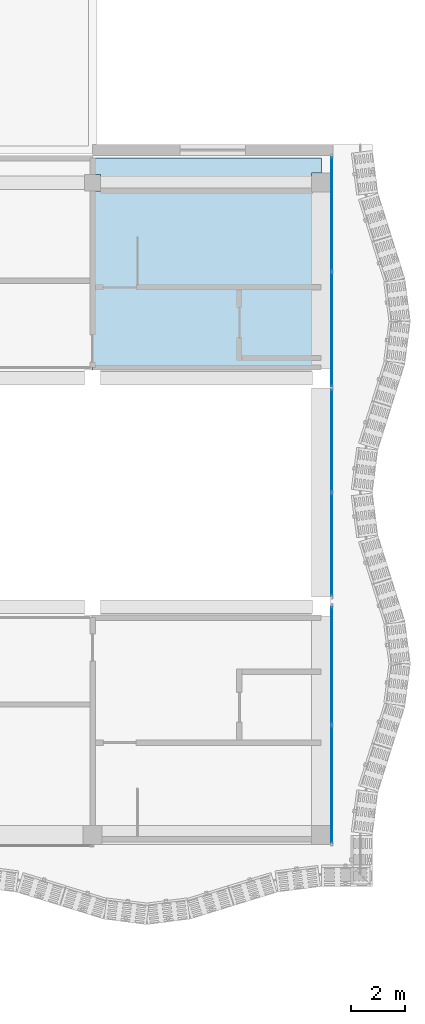
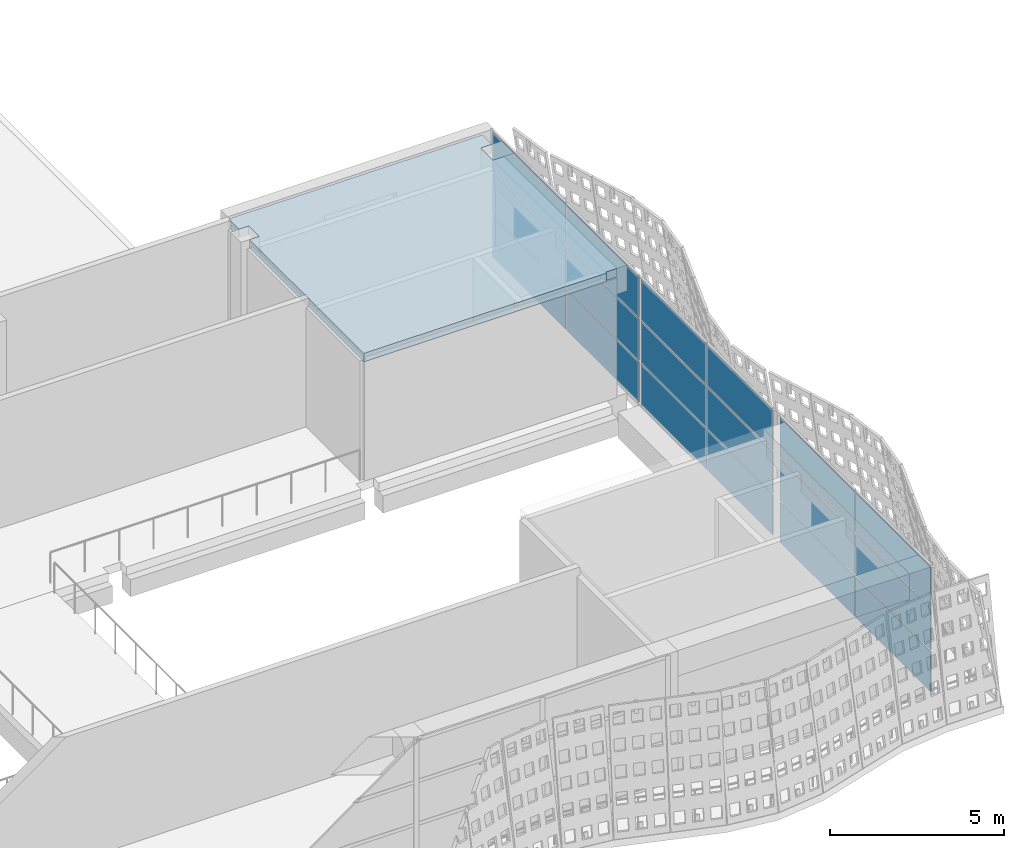
# One storey, part 77 of 162: 18 plates, 1 slab, 3 elements without a shape of their own.
"""IFC4 building model written with IfcOpenShell, lengths in metres."""

from ifc_helpers import new_model, si_unit, direction, frame, origin, origin_2d, place, context, subcontext, project, spatial, polyline, rectangle, outline, extrude, material, layer, layer_set, type_object, element, aggregate, save


model = new_model("IFC4")

# Units and contexts
model_context = context("Model", 3, precision=1e-05, world=origin(), true_north=direction((0.0, 1.0)))
body_context = subcontext(model_context, "Body", "Model", "MODEL_VIEW")
ifc_project = project(units=[si_unit("LENGTHUNIT", "METRE"), si_unit("AREAUNIT", "SQUARE_METRE"), si_unit("VOLUMEUNIT", "CUBIC_METRE"), si_unit("PLANEANGLEUNIT", "RADIAN"), si_unit("MASSUNIT", "GRAM", prefix="KILO")], contexts=[model_context])

# Site, building, storey
site_placement = place(None, origin())
site = spatial("IfcSite", under=ifc_project, at=site_placement, CompositionType="ELEMENT")
building_placement = place(site_placement, origin())
building = spatial("IfcBuilding", under=site, at=building_placement, Name="Rain Tree Exposition and Congress Centre", CompositionType="ELEMENT")
storey_placement = place(building_placement, frame((0.0, 0.0, 6.0)))
storey = spatial("IfcBuildingStorey", under=building, at=storey_placement, Name="L01", CompositionType="ELEMENT", Elevation=6.0)

# Slab
ifc_material_1 = material(Name="Concrete C40/50", Category="concrete")
ifc_layer_1 = layer(ifc_material_1, 0.300048828125)
ifc_layer_set_1 = layer_set([ifc_layer_1], Name="Concrete C40/50")
slab_type = type_object("IfcSlabType", Name="Concourse core roof slab 300", PredefinedType="ROOF", material=ifc_layer_set_1)
slab_placement = place(storey_placement, frame((0.0, 0.0, 4.199951171875)))
element("IfcSlab", 1, at=slab_placement, inside=storey, type_object=slab_type, Name="Concourse core 12 roof", PredefinedType="ROOF", context=body_context, shape_type="SweptSolid", body=[
    extrude(outline(polyline([(268.824951171875, 92.75), (268.449951171875, 92.75), (268.449951171875, 92.699951171875), (260.699951171875, 92.699951171875), (260.375, 92.699951171875), (260.375, 99.300048828125), (260.699951171875, 99.300048828125), (260.699951171875, 99.89990234375), (260.375, 99.89990234375), (260.375, 100.5), (268.824951171875, 100.5), (268.824951171875, 99.949951171875), (268.449951171875, 99.949951171875), (268.449951171875, 99.25), (268.824951171875, 99.25), (268.824951171875, 92.75)])), origin(), (0.0, 0.0, 1.0), 0.300048828125),
])

# Curtain wall, plates
ifc_material_2 = material(Name="Aluminium curtain wall system", Category="aluminium")
ifc_layer_2 = layer(ifc_material_2, 0.10009765625)
ifc_layer_set_2 = layer_set([ifc_layer_2], Name="Aluminium curtain wall system")
curtain_wall_type = type_object("IfcCurtainWallType", Name="Concourse curtain wall 4200 module", PredefinedType="NOTDEFINED", material=ifc_layer_set_2)
curtain_wall_1_placement = place(storey_placement, origin())
curtain_wall_1 = element("IfcCurtainWall", 2, at=curtain_wall_1_placement, inside=storey, type_object=curtain_wall_type, Name="Concourse curtain wall CWC38", PredefinedType="NOTDEFINED")
ifc_material_3 = material(Name="Laminated low-e glass", Category="glass")
ifc_layer_3 = layer(ifc_material_3, 0.028076171875)
ifc_layer_set_3 = layer_set([ifc_layer_3], Name="Laminated low-e glass")
plate_type = type_object("IfcPlateType", Name="Concourse curtain wall glass panel 28", PredefinedType="CURTAIN_PANEL", material=ifc_layer_set_3)
plate_1_placement = place(storey_placement, frame((269.199951171875, 77.465087890625, 0.06005859375), z_axis=(0.0, 0.0, 1.0), x_axis=(0.0, 1.0, 0.0)))
plate_1 = element("IfcPlate", 3, at=plate_1_placement, type_object=plate_type, Name="CWC38 panel 1.1", PredefinedType="CURTAIN_PANEL", context=body_context, shape_type="SweptSolid", body=[
    extrude(rectangle(XDim=4.31005859375, YDim=0.028076171875, at=origin_2d()), origin(), (0.0, 0.0, 1.0), 1.409912109375),
])
plate_2_placement = place(storey_placement, frame((269.199951171875, 77.465087890625, 1.530029296875), z_axis=(0.0, 0.0, 1.0), x_axis=(0.0, 1.0, 0.0)))
plate_2 = element("IfcPlate", 4, at=plate_2_placement, type_object=plate_type, Name="CWC38 panel 1.2", PredefinedType="CURTAIN_PANEL", context=body_context, shape_type="SweptSolid", body=[
    extrude(rectangle(XDim=4.31005859375, YDim=0.028076171875, at=origin_2d()), origin(), (0.0, 0.0, 1.0), 1.43994140625),
])
plate_3_placement = place(storey_placement, frame((269.199951171875, 77.465087890625, 3.0302734375), z_axis=(0.0, 0.0, 1.0), x_axis=(0.0, 1.0, 0.0)))
plate_3 = element("IfcPlate", 5, at=plate_3_placement, type_object=plate_type, Name="CWC38 panel 1.3", PredefinedType="CURTAIN_PANEL", context=body_context, shape_type="SweptSolid", body=[
    extrude(rectangle(XDim=4.31005859375, YDim=0.028076171875, at=origin_2d()), origin(), (0.0, 0.0, 1.0), 1.409912109375),
])
plate_4_placement = place(storey_placement, frame((269.199951171875, 81.8349609375, 0.06005859375), z_axis=(0.0, 0.0, 1.0), x_axis=(0.0, 1.0, 0.0)))
plate_4 = element("IfcPlate", 6, at=plate_4_placement, type_object=plate_type, Name="CWC38 panel 2.1", PredefinedType="CURTAIN_PANEL", context=body_context, shape_type="SweptSolid", body=[
    extrude(rectangle(XDim=4.31005859375, YDim=0.028076171875, at=origin_2d()), origin(), (0.0, 0.0, 1.0), 1.409912109375),
])
plate_5_placement = place(storey_placement, frame((269.199951171875, 81.8349609375, 1.530029296875), z_axis=(0.0, 0.0, 1.0), x_axis=(0.0, 1.0, 0.0)))
plate_5 = element("IfcPlate", 7, at=plate_5_placement, type_object=plate_type, Name="CWC38 panel 2.2", PredefinedType="CURTAIN_PANEL", context=body_context, shape_type="SweptSolid", body=[
    extrude(rectangle(XDim=4.31005859375, YDim=0.028076171875, at=origin_2d()), origin(), (0.0, 0.0, 1.0), 1.43994140625),
])
plate_6_placement = place(storey_placement, frame((269.199951171875, 81.8349609375, 3.0302734375), z_axis=(0.0, 0.0, 1.0), x_axis=(0.0, 1.0, 0.0)))
plate_6 = element("IfcPlate", 8, at=plate_6_placement, type_object=plate_type, Name="CWC38 panel 2.3", PredefinedType="CURTAIN_PANEL", context=body_context, shape_type="SweptSolid", body=[
    extrude(rectangle(XDim=4.31005859375, YDim=0.028076171875, at=origin_2d()), origin(), (0.0, 0.0, 1.0), 1.409912109375),
])
aggregate(curtain_wall_1, [plate_1, plate_2, plate_3, plate_4, plate_5, plate_6])

curtain_wall_2_placement = place(storey_placement, origin())
curtain_wall_2 = element("IfcCurtainWall", 9, at=curtain_wall_2_placement, inside=storey, type_object=curtain_wall_type, Name="Concourse curtain wall CWC39", PredefinedType="NOTDEFINED")
plate_7_placement = place(storey_placement, frame((269.199951171875, 86.2900390625, 0.06005859375), z_axis=(0.0, 0.0, 1.0), x_axis=(0.0, 1.0, 0.0)))
plate_7 = element("IfcPlate", 10, at=plate_7_placement, type_object=plate_type, Name="CWC39 panel 1.1", PredefinedType="CURTAIN_PANEL", context=body_context, shape_type="SweptSolid", body=[
    extrude(rectangle(XDim=3.760009765625, YDim=0.028076171875, at=origin_2d()), origin(), (0.0, 0.0, 1.0), 1.409912109375),
])
plate_8_placement = place(storey_placement, frame((269.199951171875, 86.2900390625, 1.530029296875), z_axis=(0.0, 0.0, 1.0), x_axis=(0.0, 1.0, 0.0)))
plate_8 = element("IfcPlate", 11, at=plate_8_placement, type_object=plate_type, Name="CWC39 panel 1.2", PredefinedType="CURTAIN_PANEL", context=body_context, shape_type="SweptSolid", body=[
    extrude(rectangle(XDim=3.760009765625, YDim=0.028076171875, at=origin_2d()), origin(), (0.0, 0.0, 1.0), 1.43994140625),
])
plate_9_placement = place(storey_placement, frame((269.199951171875, 86.2900390625, 3.0302734375), z_axis=(0.0, 0.0, 1.0), x_axis=(0.0, 1.0, 0.0)))
plate_9 = element("IfcPlate", 12, at=plate_9_placement, type_object=plate_type, Name="CWC39 panel 1.3", PredefinedType="CURTAIN_PANEL", context=body_context, shape_type="SweptSolid", body=[
    extrude(rectangle(XDim=3.760009765625, YDim=0.028076171875, at=origin_2d()), origin(), (0.0, 0.0, 1.0), 1.409912109375),
])
plate_10_placement = place(storey_placement, frame((269.199951171875, 90.110107421875, 0.06005859375), z_axis=(0.0, 0.0, 1.0), x_axis=(0.0, 1.0, 0.0)))
plate_10 = element("IfcPlate", 13, at=plate_10_placement, type_object=plate_type, Name="CWC39 panel 2.1", PredefinedType="CURTAIN_PANEL", context=body_context, shape_type="SweptSolid", body=[
    extrude(rectangle(XDim=3.760009765625, YDim=0.028076171875, at=origin_2d()), origin(), (0.0, 0.0, 1.0), 1.409912109375),
])
plate_11_placement = place(storey_placement, frame((269.199951171875, 90.110107421875, 1.530029296875), z_axis=(0.0, 0.0, 1.0), x_axis=(0.0, 1.0, 0.0)))
plate_11 = element("IfcPlate", 14, at=plate_11_placement, type_object=plate_type, Name="CWC39 panel 2.2", PredefinedType="CURTAIN_PANEL", context=body_context, shape_type="SweptSolid", body=[
    extrude(rectangle(XDim=3.760009765625, YDim=0.028076171875, at=origin_2d()), origin(), (0.0, 0.0, 1.0), 1.43994140625),
])
plate_12_placement = place(storey_placement, frame((269.199951171875, 90.110107421875, 3.0302734375), z_axis=(0.0, 0.0, 1.0), x_axis=(0.0, 1.0, 0.0)))
plate_12 = element("IfcPlate", 15, at=plate_12_placement, type_object=plate_type, Name="CWC39 panel 2.3", PredefinedType="CURTAIN_PANEL", context=body_context, shape_type="SweptSolid", body=[
    extrude(rectangle(XDim=3.760009765625, YDim=0.028076171875, at=origin_2d()), origin(), (0.0, 0.0, 1.0), 1.409912109375),
])
aggregate(curtain_wall_2, [plate_7, plate_8, plate_9, plate_10, plate_11, plate_12])

curtain_wall_3_placement = place(storey_placement, origin())
curtain_wall_3 = element("IfcCurtainWall", 16, at=curtain_wall_3_placement, inside=storey, type_object=curtain_wall_type, Name="Concourse curtain wall CWC40", PredefinedType="NOTDEFINED")
plate_13_placement = place(storey_placement, frame((269.199951171875, 94.202392578125, 0.06005859375), z_axis=(0.0, 0.0, 1.0), x_axis=(0.0, 1.0, 0.0)))
plate_13 = element("IfcPlate", 17, at=plate_13_placement, type_object=plate_type, Name="CWC40 panel 1.1", PredefinedType="CURTAIN_PANEL", context=body_context, shape_type="SweptSolid", body=[
    extrude(rectangle(XDim=4.18505859375, YDim=0.028076171875, at=origin_2d()), origin(), (0.0, 0.0, 1.0), 1.409912109375),
])
plate_14_placement = place(storey_placement, frame((269.199951171875, 94.202392578125, 1.530029296875), z_axis=(0.0, 0.0, 1.0), x_axis=(0.0, 1.0, 0.0)))
plate_14 = element("IfcPlate", 18, at=plate_14_placement, type_object=plate_type, Name="CWC40 panel 1.2", PredefinedType="CURTAIN_PANEL", context=body_context, shape_type="SweptSolid", body=[
    extrude(rectangle(XDim=4.18505859375, YDim=0.028076171875, at=origin_2d()), origin(), (0.0, 0.0, 1.0), 1.43994140625),
])
plate_15_placement = place(storey_placement, frame((269.199951171875, 94.202392578125, 3.0302734375), z_axis=(0.0, 0.0, 1.0), x_axis=(0.0, 1.0, 0.0)))
plate_15 = element("IfcPlate", 19, at=plate_15_placement, type_object=plate_type, Name="CWC40 panel 1.3", PredefinedType="CURTAIN_PANEL", context=body_context, shape_type="SweptSolid", body=[
    extrude(rectangle(XDim=4.18505859375, YDim=0.028076171875, at=origin_2d()), origin(), (0.0, 0.0, 1.0), 1.409912109375),
])
plate_16_placement = place(storey_placement, frame((269.199951171875, 98.447509765625, 0.06005859375), z_axis=(0.0, 0.0, 1.0), x_axis=(0.0, 1.0, 0.0)))
plate_16 = element("IfcPlate", 20, at=plate_16_placement, type_object=plate_type, Name="CWC40 panel 2.1", PredefinedType="CURTAIN_PANEL", context=body_context, shape_type="SweptSolid", body=[
    extrude(rectangle(XDim=4.18505859375, YDim=0.028076171875, at=origin_2d()), origin(), (0.0, 0.0, 1.0), 1.409912109375),
])
plate_17_placement = place(storey_placement, frame((269.199951171875, 98.447509765625, 1.530029296875), z_axis=(0.0, 0.0, 1.0), x_axis=(0.0, 1.0, 0.0)))
plate_17 = element("IfcPlate", 21, at=plate_17_placement, type_object=plate_type, Name="CWC40 panel 2.2", PredefinedType="CURTAIN_PANEL", context=body_context, shape_type="SweptSolid", body=[
    extrude(rectangle(XDim=4.18505859375, YDim=0.028076171875, at=origin_2d()), origin(), (0.0, 0.0, 1.0), 1.43994140625),
])
plate_18_placement = place(storey_placement, frame((269.199951171875, 98.447509765625, 3.0302734375), z_axis=(0.0, 0.0, 1.0), x_axis=(0.0, 1.0, 0.0)))
plate_18 = element("IfcPlate", 22, at=plate_18_placement, type_object=plate_type, Name="CWC40 panel 2.3", PredefinedType="CURTAIN_PANEL", context=body_context, shape_type="SweptSolid", body=[
    extrude(rectangle(XDim=4.18505859375, YDim=0.028076171875, at=origin_2d()), origin(), (0.0, 0.0, 1.0), 1.409912109375),
])
aggregate(curtain_wall_3, [plate_13, plate_14, plate_15, plate_16, plate_17, plate_18])

save(model, "model.ifc")
